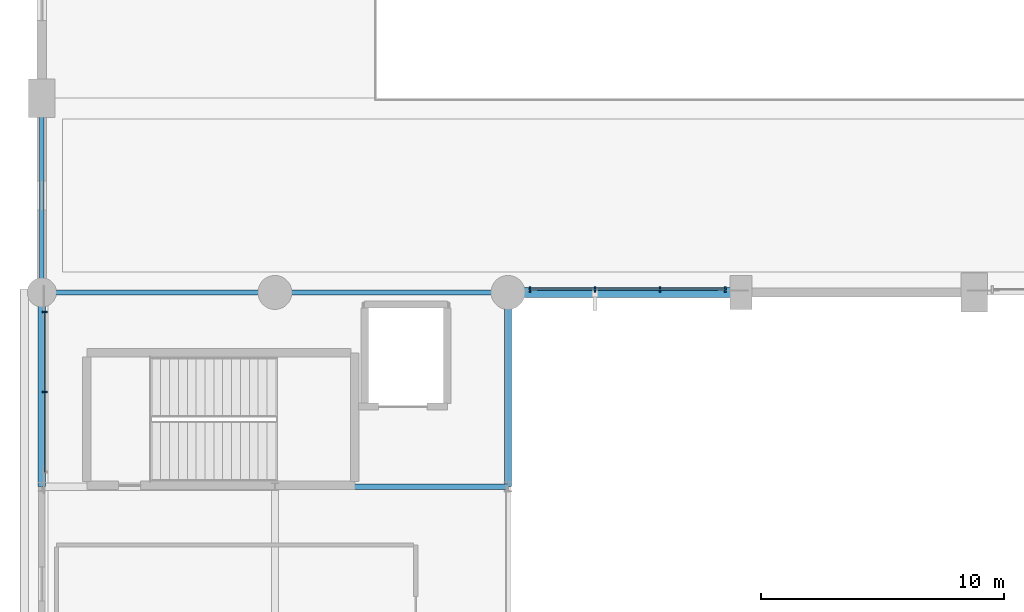
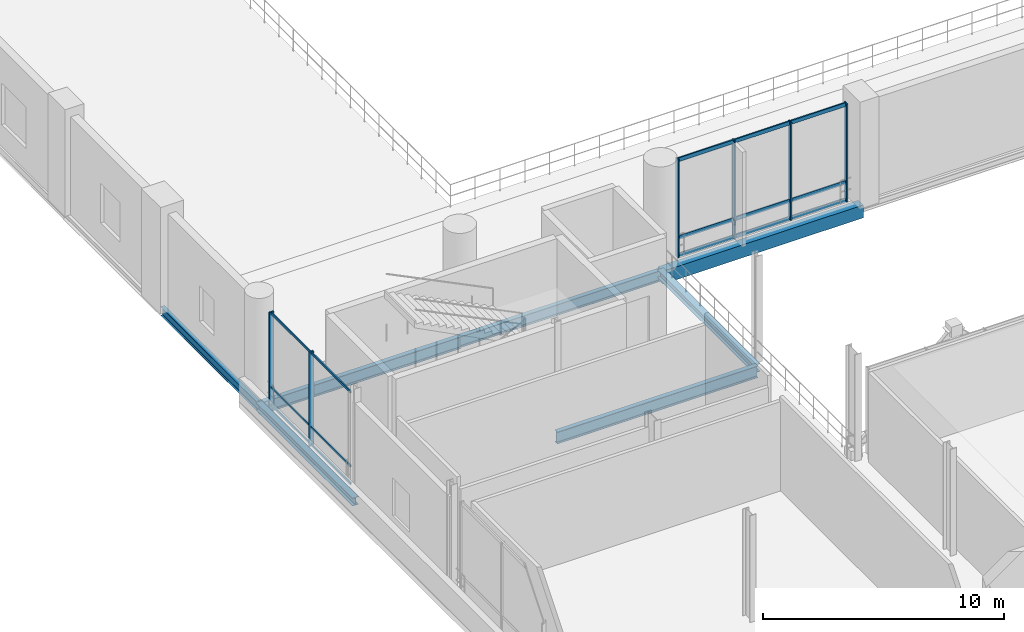
# One storey, part 32 of 129: 12 members, 7 beams, 2 elements without a shape of their own.
"""IFC4 building model written with IfcOpenShell, lengths in metres."""

from ifc_helpers import new_model, si_unit, direction, frame, origin, origin_2d, place, context, subcontext, project, spatial, rectangle, i_section, extrude, material, material_profile, profile_set, type_object, element, aggregate, save


model = new_model("IFC4")

# Units and contexts
model_context = context("Model", 3, precision=1e-05, world=origin(), true_north=direction((0.0, 1.0)))
body_context = subcontext(model_context, "Body", "Model", "MODEL_VIEW")
ifc_project = project(units=[si_unit("LENGTHUNIT", "METRE"), si_unit("AREAUNIT", "SQUARE_METRE"), si_unit("VOLUMEUNIT", "CUBIC_METRE"), si_unit("PLANEANGLEUNIT", "RADIAN"), si_unit("MASSUNIT", "GRAM", prefix="KILO")], contexts=[model_context])

# Site, building, storey
site_placement = place(None, origin())
site = spatial("IfcSite", under=ifc_project, at=site_placement, CompositionType="ELEMENT")
building_placement = place(site_placement, origin())
building = spatial("IfcBuilding", under=site, at=building_placement, Name="Danafjord Basin Convention Centre", CompositionType="ELEMENT")
storey_placement = place(building_placement, frame((0.0, 0.0, 6.0)))
storey = spatial("IfcBuildingStorey", under=building, at=storey_placement, Name="L01", CompositionType="ELEMENT", Elevation=6.0)

# Beams
ifc_material_1 = material(Name="Steel S355", Category="steel")
ifc_material_profile_1 = material_profile(ifc_material_1, i_section(OverallWidth=0.2099609375, OverallDepth=0.550048828125, WebThickness=0.010986328125, FlangeThickness=0.01708984375, FilletRadius=0.02392578125, at=origin_2d()), Name="IPE 550")
ifc_profile_set_1 = profile_set([ifc_material_profile_1], Name="Steel S355")
beam_type_1 = type_object("IfcBeamType", Name="BEAM-BM-IPE550", PredefinedType="BEAM", material=ifc_profile_set_1)
beam_1_placement = place(storey_placement, frame((9.60009765625, 56.0, -0.52490234375), z_axis=(1.0, 0.0, 0.0), x_axis=(0.0, 1.0, 0.0)))
element("IfcBeam", 1, at=beam_1_placement, inside=storey, type_object=beam_type_1, Name="L01 girder BM-IPE550", PredefinedType="BEAM", context=body_context, shape_type="SweptSolid", body=[
    extrude(i_section(OverallWidth=0.2099609375, OverallDepth=0.550048828125, WebThickness=0.010986328125, FlangeThickness=0.01708984375, FilletRadius=0.02392578125, at=origin_2d()), origin(), (0.0, 0.0, 1.0), 9.599853515625),
])
ifc_material_profile_2 = material_profile(ifc_material_1, i_section(OverallWidth=0.219970703125, OverallDepth=0.60009765625, WebThickness=0.011962890625, FlangeThickness=0.01904296875, FilletRadius=0.02392578125, at=origin_2d()), Name="IPE 600")
ifc_profile_set_2 = profile_set([ifc_material_profile_2], Name="Steel S355")
beam_type_2 = type_object("IfcBeamType", Name="BEAM-BM-IPE600", PredefinedType="BEAM", material=ifc_profile_set_2)
beam_2_placement = place(storey_placement, frame((0.0, 56.0, -0.550048828125), z_axis=(1.0, 0.0, 0.0), x_axis=(0.0, 1.0, 0.0)))
element("IfcBeam", 2, at=beam_2_placement, inside=storey, type_object=beam_type_2, Name="L01 girder BM-IPE600", PredefinedType="BEAM", context=body_context, shape_type="SweptSolid", body=[
    extrude(i_section(OverallWidth=0.219970703125, OverallDepth=0.60009765625, WebThickness=0.011962890625, FlangeThickness=0.01904296875, FilletRadius=0.02392578125, at=origin_2d()), origin(), (0.0, 0.0, 1.0), 9.60009765625),
])
beam_3_placement = place(storey_placement, frame((9.60009765625, 48.0, -0.530029296875), z_axis=(1.0, 0.0, 0.0), x_axis=(0.0, 1.0, 0.0)))
element("IfcBeam", 3, at=beam_3_placement, inside=storey, type_object=beam_type_2, Name="L01 girder BM-IPE600", PredefinedType="BEAM", context=body_context, shape_type="SweptSolid", body=[
    extrude(i_section(OverallWidth=0.219970703125, OverallDepth=0.60009765625, WebThickness=0.011962890625, FlangeThickness=0.01904296875, FilletRadius=0.02392578125, at=origin_2d()), origin(), (0.0, 0.0, 1.0), 9.599853515625),
])
ifc_material_profile_3 = material_profile(ifc_material_1, i_section(OverallWidth=0.300048828125, OverallDepth=0.39990234375, WebThickness=0.013427734375, FlangeThickness=0.02392578125, FilletRadius=0.027099609375, at=origin_2d()), Name="HEB 400")
ifc_profile_set_3 = profile_set([ifc_material_profile_3], Name="Steel S355")
beam_type_3 = type_object("IfcBeamType", Name="BEAM-SP-HEB400", PredefinedType="SPANDREL", material=ifc_profile_set_3)
for number, where, z_axis, x_axis, name in (
    (4, (0.0, 48.0, -0.429931640625), (0.0, 1.0, 0.0), (-1.0, 0.0, 0.0), "L01 transverse girder SP-HEB400"),
    (5, (19.199951171875, 48.0, -0.429931640625), (0.0, 1.0, 0.0), (-1.0, 0.0, 0.0), "L01 transverse girder SP-HEB400"),
):
    element("IfcBeam", number, at=place(storey_placement, frame(where, z_axis=z_axis, x_axis=x_axis)), inside=storey, type_object=beam_type_3, Name=name, PredefinedType="SPANDREL", context=body_context, shape_type="SweptSolid", body=[
        extrude(i_section(OverallWidth=0.300048828125, OverallDepth=0.39990234375, WebThickness=0.013427734375, FlangeThickness=0.02392578125, FilletRadius=0.027099609375, at=origin_2d()), origin(), (0.0, 0.0, 1.0), 8.0),
    ])
ifc_material_profile_4 = material_profile(ifc_material_1, i_section(OverallWidth=0.18994140625, OverallDepth=0.449951171875, WebThickness=0.009521484375, FlangeThickness=0.0146484375, FilletRadius=0.02099609375, at=origin_2d()), Name="IPE 450")
ifc_profile_set_4 = profile_set([ifc_material_profile_4], Name="Steel S355")
beam_type_4 = type_object("IfcBeamType", Name="BEAM-SP-IPE450", PredefinedType="SPANDREL", material=ifc_profile_set_4)
beam_4_placement = place(storey_placement, frame((0.0, 56.0, -0.47509765625), z_axis=(0.0, 1.0, 0.0), x_axis=(-1.0, 0.0, 0.0)))
element("IfcBeam", 6, at=beam_4_placement, inside=storey, type_object=beam_type_4, Name="L01 transverse girder SP-IPE450", PredefinedType="SPANDREL", context=body_context, shape_type="SweptSolid", body=[
    extrude(i_section(OverallWidth=0.18994140625, OverallDepth=0.449951171875, WebThickness=0.009521484375, FlangeThickness=0.0146484375, FilletRadius=0.02099609375, at=origin_2d()), origin(), (0.0, 0.0, 1.0), 8.0),
])
ifc_material_2 = material(Name="Precast concrete C45/55", Category="concrete")
ifc_material_profile_5 = material_profile(ifc_material_2, rectangle(XDim=0.39990234375, YDim=0.64990234375, at=origin_2d()), Name="PCB 400x650")
ifc_profile_set_5 = profile_set([ifc_material_profile_5], Name="Precast concrete C45/55")
beam_type_5 = type_object("IfcBeamType", Name="BEAM-SP-PCB650", PredefinedType="SPANDREL", material=ifc_profile_set_5)
beam_5_placement = place(storey_placement, frame((19.199951171875, 56.0, -0.574951171875), z_axis=(1.0, 0.0, 0.0), x_axis=(0.0, 1.0, 0.0)))
element("IfcBeam", 7, at=beam_5_placement, inside=storey, type_object=beam_type_5, Name="L01 girder SP-PCB650", PredefinedType="SPANDREL", context=body_context, shape_type="SweptSolid", body=[
    extrude(rectangle(XDim=0.39990234375, YDim=0.64990234375, at=origin_2d()), origin(), (0.0, 0.0, 1.0), 9.60009765625),
])

# Curtain wall, members
ifc_material_3 = material(Name="Anodised aluminium and triple glazing", Category="aluminium")
curtain_wall_type_1 = type_object("IfcCurtainWallType", Name="CW-CW-HALL", PredefinedType="NOTDEFINED", material=ifc_material_3)
curtain_wall_1_placement = place(storey_placement, origin())
curtain_wall_1 = element("IfcCurtainWall", 8, at=curtain_wall_1_placement, inside=storey, type_object=curtain_wall_type_1, Name="L01 CW-HALL unitised curtain wall bay 2", PredefinedType="NOTDEFINED")
ifc_material_4 = material(Name="Anodised aluminium EN AW-6060", Category="aluminium")
ifc_material_profile_6 = material_profile(ifc_material_4, rectangle(XDim=0.06494140625, YDim=0.219970703125, at=origin_2d()), Name="MULL 65x220")
ifc_profile_set_6 = profile_set([ifc_material_profile_6], Name="Anodised aluminium EN AW-6060")
member_type_1 = type_object("IfcMemberType", Name="MEM-ML-220", PredefinedType="MULLION", material=ifc_profile_set_6)
member_1_placement = place(storey_placement, frame((20.10009765625, 56.1201171875, -0.02490234375), z_axis=(0.0, 0.0, 1.0), x_axis=(1.0, 0.0, 0.0)))
member_1 = element("IfcMember", 9, at=member_1_placement, type_object=member_type_1, Name="CW-L01-002 mullion 1", PredefinedType="MULLION", context=body_context, shape_type="SweptSolid", body=[
    extrude(rectangle(XDim=0.06494140625, YDim=0.219970703125, at=origin_2d()), origin(), (0.0, 0.0, 1.0), 4.98486328125),
])
member_2_placement = place(storey_placement, frame((22.783203125, 56.1201171875, -0.02490234375), z_axis=(0.0, 0.0, 1.0), x_axis=(1.0, 0.0, 0.0)))
member_2 = element("IfcMember", 10, at=member_2_placement, type_object=member_type_1, Name="CW-L01-002 mullion 2", PredefinedType="MULLION", context=body_context, shape_type="SweptSolid", body=[
    extrude(rectangle(XDim=0.06494140625, YDim=0.219970703125, at=origin_2d()), origin(), (0.0, 0.0, 1.0), 4.98486328125),
])
member_3_placement = place(storey_placement, frame((25.466796875, 56.1201171875, -0.02490234375), z_axis=(0.0, 0.0, 1.0), x_axis=(1.0, 0.0, 0.0)))
member_3 = element("IfcMember", 11, at=member_3_placement, type_object=member_type_1, Name="CW-L01-002 mullion 3", PredefinedType="MULLION", context=body_context, shape_type="SweptSolid", body=[
    extrude(rectangle(XDim=0.06494140625, YDim=0.219970703125, at=origin_2d()), origin(), (0.0, 0.0, 1.0), 4.98486328125),
])
member_4_placement = place(storey_placement, frame((28.14990234375, 56.1201171875, -0.02490234375), z_axis=(0.0, 0.0, 1.0), x_axis=(1.0, 0.0, 0.0)))
member_4 = element("IfcMember", 12, at=member_4_placement, type_object=member_type_1, Name="CW-L01-002 mullion 4", PredefinedType="MULLION", context=body_context, shape_type="SweptSolid", body=[
    extrude(rectangle(XDim=0.06494140625, YDim=0.219970703125, at=origin_2d()), origin(), (0.0, 0.0, 1.0), 4.98486328125),
])

curtain_wall_type_2 = type_object("IfcCurtainWallType", Name="CW-CW-TERR", PredefinedType="NOTDEFINED", material=ifc_material_3)
curtain_wall_2_placement = place(storey_placement, origin())
curtain_wall_2 = element("IfcCurtainWall", 13, at=curtain_wall_2_placement, inside=storey, type_object=curtain_wall_type_2, Name="L01 CW-TERR unitised curtain wall bay 57", PredefinedType="NOTDEFINED")
member_5_placement = place(storey_placement, frame((0.1201171875, 55.199951171875, -0.02490234375), z_axis=(0.0, 0.0, 1.0), x_axis=(0.0, -1.0, 0.0)))
member_5 = element("IfcMember", 14, at=member_5_placement, type_object=member_type_1, Name="CW-L01-057 mullion 1", PredefinedType="MULLION", context=body_context, shape_type="SweptSolid", body=[
    extrude(rectangle(XDim=0.06494140625, YDim=0.219970703125, at=origin_2d()), origin(), (0.0, 0.0, 1.0), 4.784912109375),
])
member_6_placement = place(storey_placement, frame((0.1201171875, 51.89990234375, -0.02490234375), z_axis=(0.0, 0.0, 1.0), x_axis=(0.0, -1.0, 0.0)))
member_6 = element("IfcMember", 15, at=member_6_placement, type_object=member_type_1, Name="CW-L01-057 mullion 2", PredefinedType="MULLION", context=body_context, shape_type="SweptSolid", body=[
    extrude(rectangle(XDim=0.06494140625, YDim=0.219970703125, at=origin_2d()), origin(), (0.0, 0.0, 1.0), 4.784912109375),
])
ifc_material_profile_7 = material_profile(ifc_material_4, rectangle(XDim=0.06005859375, YDim=0.110107421875, at=origin_2d()), Name="TRAN 60x110")
ifc_profile_set_7 = profile_set([ifc_material_profile_7], Name="Anodised aluminium EN AW-6060")
member_type_2 = type_object("IfcMemberType", Name="MEM-TR-110", PredefinedType="USERDEFINED", material=ifc_profile_set_7)
member_7_placement = place(storey_placement, frame((0.1201171875, 55.199951171875, 0.06005859375), z_axis=(0.0, -1.0, 0.0), x_axis=(1.0, 0.0, 0.0)))
member_7 = element("IfcMember", 16, at=member_7_placement, type_object=member_type_2, Name="CW-L01-057 transom 1", ObjectType="TRANSOM", PredefinedType="USERDEFINED", context=body_context, shape_type="SweptSolid", body=[
    extrude(rectangle(XDim=0.06005859375, YDim=0.110107421875, at=origin_2d()), origin(), (0.0, 0.0, 1.0), 6.599853515625),
])
member_8_placement = place(storey_placement, frame((0.1201171875, 55.199951171875, 0.949951171875), z_axis=(0.0, -1.0, 0.0), x_axis=(1.0, 0.0, 0.0)))
member_8 = element("IfcMember", 17, at=member_8_placement, type_object=member_type_2, Name="CW-L01-057 transom 2", ObjectType="TRANSOM", PredefinedType="USERDEFINED", context=body_context, shape_type="SweptSolid", body=[
    extrude(rectangle(XDim=0.06005859375, YDim=0.110107421875, at=origin_2d()), origin(), (0.0, 0.0, 1.0), 6.599853515625),
])
member_9_placement = place(storey_placement, frame((0.1201171875, 55.199951171875, 4.68994140625), z_axis=(0.0, -1.0, 0.0), x_axis=(1.0, 0.0, 0.0)))
member_9 = element("IfcMember", 18, at=member_9_placement, type_object=member_type_2, Name="CW-L01-057 transom 3", ObjectType="TRANSOM", PredefinedType="USERDEFINED", context=body_context, shape_type="SweptSolid", body=[
    extrude(rectangle(XDim=0.06005859375, YDim=0.110107421875, at=origin_2d()), origin(), (0.0, 0.0, 1.0), 6.599853515625),
])
aggregate(curtain_wall_2, [member_5, member_6, member_7, member_8, member_9])

# Member
ifc_material_profile_8 = material_profile(ifc_material_4, rectangle(XDim=0.06494140625, YDim=0.18994140625, at=origin_2d()), Name="TRAN 65x190")
ifc_profile_set_8 = profile_set([ifc_material_profile_8], Name="Anodised aluminium EN AW-6060")
member_type_3 = type_object("IfcMemberType", Name="MEM-TR-190", PredefinedType="USERDEFINED", material=ifc_profile_set_8)
member_10_placement = place(storey_placement, frame((20.10009765625, 56.1201171875, 0.06005859375), z_axis=(1.0, 0.0, 0.0), x_axis=(0.0, 1.0, 0.0)))
member_10 = element("IfcMember", 19, at=member_10_placement, type_object=member_type_3, Name="CW-L01-002 transom 1", ObjectType="TRANSOM", PredefinedType="USERDEFINED", context=body_context, shape_type="SweptSolid", body=[
    extrude(rectangle(XDim=0.06494140625, YDim=0.18994140625, at=origin_2d()), origin(), (0.0, 0.0, 1.0), 8.0498046875),
])

member_11_placement = place(storey_placement, frame((20.10009765625, 56.1201171875, 0.949951171875), z_axis=(1.0, 0.0, 0.0), x_axis=(0.0, 1.0, 0.0)))
member_11 = element("IfcMember", 20, at=member_11_placement, type_object=member_type_3, Name="CW-L01-002 transom 2", ObjectType="TRANSOM", PredefinedType="USERDEFINED", context=body_context, shape_type="SweptSolid", body=[
    extrude(rectangle(XDim=0.06494140625, YDim=0.18994140625, at=origin_2d()), origin(), (0.0, 0.0, 1.0), 8.0498046875),
])

member_12_placement = place(storey_placement, frame((20.10009765625, 56.1201171875, 4.889892578125), z_axis=(1.0, 0.0, 0.0), x_axis=(0.0, 1.0, 0.0)))
member_12 = element("IfcMember", 21, at=member_12_placement, type_object=member_type_3, Name="CW-L01-002 transom 3", ObjectType="TRANSOM", PredefinedType="USERDEFINED", context=body_context, shape_type="SweptSolid", body=[
    extrude(rectangle(XDim=0.06494140625, YDim=0.18994140625, at=origin_2d()), origin(), (0.0, 0.0, 1.0), 8.0498046875),
])

aggregate(curtain_wall_1, [member_1, member_2, member_3, member_4, member_10, member_11, member_12])

save(model, "model.ifc")
